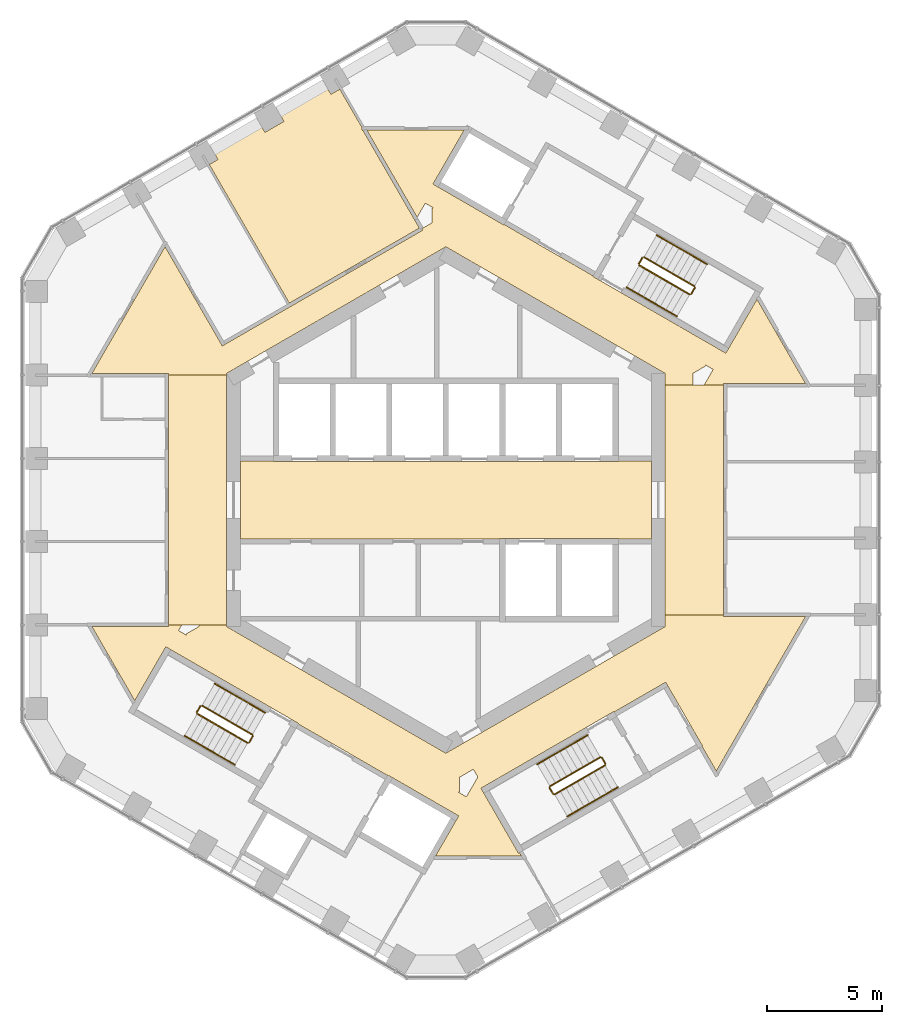
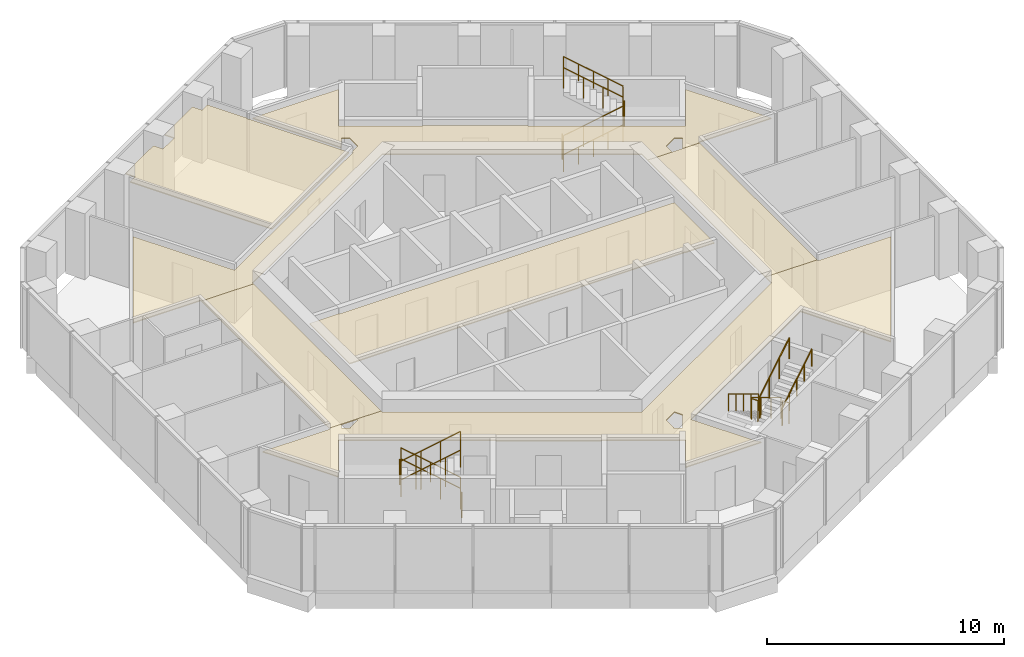
# One storey, part 18 of 18: 24 railings, 6 coverings.
"""IFC4 building model written with IfcOpenShell, lengths in metres."""

from ifc_helpers import new_model, si_unit, direction, frame, origin, origin_2d, place, context, subcontext, project, spatial, polyline, circle, outline, extrude, material, layer, layer_set, type_object, element, save


model = new_model("IFC4")

# Units and contexts
model_context = context("Model", 3, precision=1e-05, world=origin(), true_north=direction((0.0, 1.0)))
body_context = subcontext(model_context, "Body", "Model", "MODEL_VIEW")
ifc_project = project(units=[si_unit("LENGTHUNIT", "METRE"), si_unit("AREAUNIT", "SQUARE_METRE"), si_unit("VOLUMEUNIT", "CUBIC_METRE"), si_unit("PLANEANGLEUNIT", "RADIAN"), si_unit("MASSUNIT", "GRAM", prefix="KILO")], contexts=[model_context])

# Site, building, storey
site_placement = place(None, origin())
site = spatial("IfcSite", under=ifc_project, at=site_placement, CompositionType="ELEMENT")
building_placement = place(site_placement, origin())
building = spatial("IfcBuilding", under=site, at=building_placement, Name="Ayvan Gate Tower", CompositionType="ELEMENT")
storey_placement = place(building_placement, frame((0.0, 0.0, 176.5)))
storey = spatial("IfcBuildingStorey", under=building, at=storey_placement, Name="L47", CompositionType="ELEMENT", Elevation=176.5)

# Coverings
ifc_material_1 = material(Name="Plasterboard suspended ceiling")
ifc_layer = layer(ifc_material_1, 0.050048828125)
ifc_layer_set = layer_set([ifc_layer], Name="Plasterboard suspended ceiling")
covering_type = type_object("IfcCoveringType", Name="CT-SUSP-50", PredefinedType="CEILING", material=ifc_layer_set)
covering_1_placement = place(storey_placement, frame((0.0, 0.0, 2.699951171875)))
element("IfcCovering", 1, at=covering_1_placement, inside=storey, type_object=covering_type, Name="Ceiling Lift Lobby L47", PredefinedType="CEILING", context=body_context, shape_type="SweptSolid", body=[
    extrude(outline(polyline([(7.47509765625, -1.675048828125), (2.324951171875, -1.675048828125), (2.324951171875, -1.699951171875), (-8.89990234375, -1.699951171875), (-8.89990234375, 1.699951171875), (-7.47509765625, 1.699951171875), (-7.47509765625, 1.675048828125), (7.47509765625, 1.675048828125), (7.47509765625, 1.699951171875), (8.89990234375, 1.699951171875), (8.89990234375, -1.699951171875), (7.47509765625, -1.699951171875), (7.47509765625, -1.675048828125)])), origin(), (0.0, 0.0, 1.0), 0.050048828125),
])
covering_2_placement = place(storey_placement, frame((0.0, 0.0, 2.699951171875)))
element("IfcCovering", 2, at=covering_2_placement, inside=storey, type_object=covering_type, Name="Ceiling Gallery L47", PredefinedType="CEILING", context=body_context, shape_type="SweptSolid", body=[
    extrude(outline(polyline([(-11.914794921875, -6.48681640625), (-12.131103515625, -6.36181640625), (-13.47900390625, -8.696044921875), (-15.335693359375, -5.479736328125), (-12.02490234375, -5.479736328125), (-12.02490234375, -5.40478515625), (-11.43408203125, -5.40478515625), (-11.580322265625, -5.65771484375), (-11.2294921875, -5.8603515625), (-11.259765625, -5.80810546875), (-10.699951171875, -5.48486328125), (-10.699951171875, -5.40478515625), (-9.5, -5.40478515625), (-9.5, -5.48486328125), (0.0, -10.9697265625), (8.38720703125, -6.127197265625), (9.5, -5.48486328125), (9.5, -4.972900390625), (12.02490234375, -4.972900390625), (12.02490234375, -5.048095703125), (15.585205078125, -5.048095703125), (11.718017578125, -11.74609375), (11.102294921875, -10.6796875), (11.123779296875, -10.667236328125), (9.623779296875, -8.069091796875), (9.52392578125, -7.89599609375), (7.2939453125, -9.183349609375), (7.281494140625, -9.16162109375), (1.522216796875, -12.48681640625), (1.647216796875, -12.703369140625), (3.147216796875, -15.30126953125), (3.190673828125, -15.2763671875), (3.274169921875, -15.4208984375), (-0.445068359375, -15.4208984375), (0.43115234375, -13.9033203125), (0.55615234375, -13.686767578125), (-2.284423828125, -12.046630859375), (-2.518310546875, -11.91162109375), (-2.53076171875, -11.933349609375), (-6.384521484375, -9.70849609375), (-6.3720703125, -9.686767578125), (-11.91455078125, -6.48681640625), (-11.914794921875, -6.48681640625)]), holes=[polyline([(0.60009765625, -12.6552734375), (0.53955078125, -12.6552734375), (0.890380859375, -12.85791015625), (1.385498046875, -12.0), (1.193115234375, -11.66650390625), (0.60009765625, -12.0087890625), (0.60009765625, -12.6552734375)])]), origin(), (0.0, 0.0, 1.0), 0.050048828125),
])
covering_3_placement = place(storey_placement, frame((0.0, 0.0, 2.699951171875)))
element("IfcCovering", 3, at=covering_3_placement, inside=storey, type_object=covering_type, Name="Ceiling Gallery L47", PredefinedType="CEILING", context=body_context, shape_type="SweptSolid", body=[
    extrude(outline(polyline([(-9.55419921875, 6.75244140625), (-9.55419921875, 6.75244140625), (-1.005615234375, 11.68798828125), (-1.043212890625, 11.7529296875), (-0.60009765625, 12.0087890625), (-0.60009765625, 12.6552734375), (-0.53955078125, 12.6552734375), (-0.890380859375, 12.85791015625), (-1.242431640625, 12.248046875), (-3.4208984375, 16.02099609375), (0.79150390625, 16.02099609375), (-0.55615234375, 13.686767578125), (-0.339599609375, 13.561767578125), (2.518310546875, 11.91162109375), (2.53076171875, 11.933349609375), (6.384521484375, 9.70849609375), (6.3720703125, 9.686767578125), (6.588623046875, 9.561767578125), (12.131103515625, 6.36181640625), (12.24609375, 6.56103515625), (13.47900390625, 8.696044921875), (15.585205078125, 5.048095703125), (12.02490234375, 5.048095703125), (12.02490234375, 4.972900390625), (11.18505859375, 4.972900390625), (11.580322265625, 5.65771484375), (11.2294921875, 5.8603515625), (11.259765625, 5.80810546875), (10.699951171875, 5.48486328125), (10.699951171875, 4.972900390625), (9.5, 4.972900390625), (9.5, 5.48486328125), (0.0, 10.9697265625), (-9.5, 5.48486328125), (-9.5, 5.40478515625), (-12.02490234375, 5.40478515625), (-12.02490234375, 5.479736328125), (-15.335693359375, 5.479736328125), (-12.164306640625, 10.97314453125), (-9.68408203125, 6.677490234375), (-9.55419921875, 6.75244140625)])), origin(), (0.0, 0.0, 1.0), 0.050048828125),
])
covering_4_placement = place(storey_placement, frame((0.0, 0.0, 2.699951171875)))
element("IfcCovering", 4, at=covering_4_placement, inside=storey, type_object=covering_type, Name="Ceiling Lift Lounge Lobby L47", PredefinedType="CEILING", context=body_context, shape_type="SweptSolid", body=[
    extrude(outline(polyline([(12.02490234375, -4.972900390625), (9.5, -4.972900390625), (9.5, 4.972900390625), (12.02490234375, 4.972900390625), (12.02490234375, -4.89794921875), (12.02490234375, -4.89794921875), (12.02490234375, -4.972900390625)])), origin(), (0.0, 0.0, 1.0), 0.050048828125),
])
covering_5_placement = place(storey_placement, frame((0.0, 0.0, 2.699951171875)))
element("IfcCovering", 5, at=covering_5_placement, inside=storey, type_object=covering_type, Name="Ceiling Lift Lounge Lobby L47", PredefinedType="CEILING", context=body_context, shape_type="SweptSolid", body=[
    extrude(outline(polyline([(-12.02490234375, -5.32958984375), (-12.02490234375, 5.40478515625), (-9.5, 5.40478515625), (-9.5, -5.40478515625), (-12.02490234375, -5.40478515625), (-12.02490234375, -5.32958984375)])), origin(), (0.0, 0.0, 1.0), 0.050048828125),
])
covering_6_placement = place(storey_placement, frame((0.0, 0.0, 2.699951171875)))
element("IfcCovering", 6, at=covering_6_placement, inside=storey, type_object=covering_type, Name="Ceiling Social Lounge L47", PredefinedType="CEILING", context=body_context, shape_type="SweptSolid", body=[
    extrude(outline(polyline([(-10.248046875, 14.534912109375), (-9.8740234375, 14.750732421875), (-10.111572265625, 15.162109375), (-8.074951171875, 16.337890625), (-7.83740234375, 15.926513671875), (-7.014892578125, 16.401611328125), (-7.252197265625, 16.81298828125), (-5.2158203125, 17.98876953125), (-4.978271484375, 17.577392578125), (-4.59228515625, 17.800048828125), (-3.625732421875, 16.1259765625), (-3.625732421875, 16.02099609375), (-3.593994140625, 16.02099609375), (-1.3505859375, 12.135498046875), (-1.145751953125, 11.780517578125), (-6.77978515625, 8.527587890625), (-10.248046875, 14.534912109375)])), origin(), (0.0, 0.0, 1.0), 0.050048828125),
])

# Railings
ifc_material_2 = material(Name="Stainless steel balustrade", Category="steel")
railing_type_1 = type_object("IfcRailingType", Name="RL-GUARD-1100", PredefinedType="GUARDRAIL", material=ifc_material_2)
railing_1_placement = place(storey_placement, frame((8.381103515625, 10.16650390625, 0.169921875)))
element("IfcRailing", 7, at=railing_1_placement, inside=storey, type_object=railing_type_1, Name="L47 STS1 stair guard 1", PredefinedType="GUARDRAIL", context=body_context, shape_type="SweptSolid", body=[
    extrude(circle(Radius=0.02392578125, at=origin_2d()), frame((0.0, 0.0, 1.076171875), z_axis=(0.740261155115, -0.427395438142, 0.518986090067), x_axis=(0.500004791531, 0.866022637375, 0.0)), (0.0, 0.0, 1.0), 2.947998046875),
    extrude(circle(Radius=0.02099609375, at=origin_2d()), origin(), (0.0, 0.0, 1.0), 1.052001953125),
    extrude(circle(Radius=0.02099609375, at=origin_2d()), frame((0.7275390625, -0.419921875, 0.510009765625)), (0.0, 0.0, 1.0), 1.052001953125),
    extrude(circle(Radius=0.02099609375, at=origin_2d()), frame((1.454833984375, -0.840087890625, 1.02001953125)), (0.0, 0.0, 1.0), 1.052001953125),
    extrude(circle(Radius=0.02099609375, at=origin_2d()), frame((2.182373046875, -1.260009765625, 1.530029296875)), (0.0, 0.0, 1.0), 1.052001953125),
])
railing_2_placement = place(storey_placement, frame((10.6318359375, 8.9248046875, 1.699951171875)))
element("IfcRailing", 8, at=railing_2_placement, inside=storey, type_object=railing_type_1, Name="L47 STS1 stair guard 2", PredefinedType="GUARDRAIL", context=body_context, shape_type="SweptSolid", body=[
    extrude(circle(Radius=0.02392578125, at=origin_2d()), frame((0.0, 0.0, 1.076171875), z_axis=(0.499949632511, 0.866054481515, 0.0), x_axis=(-0.866054481515, 0.499949632511, 0.0)), (0.0, 0.0, 1.0), 0.31005859375),
    extrude(circle(Radius=0.02099609375, at=origin_2d()), origin(), (0.0, 0.0, 1.0), 1.052001953125),
    extrude(circle(Radius=0.02099609375, at=origin_2d()), frame((0.155029296875, 0.2685546875, 0.0)), (0.0, 0.0, 1.0), 1.052001953125),
])
railing_3_placement = place(storey_placement, frame((10.7685546875, 9.261474609375, 1.8701171875)))
element("IfcRailing", 9, at=railing_3_placement, inside=storey, type_object=railing_type_1, Name="L47 STS1 stair guard 3", PredefinedType="GUARDRAIL", context=body_context, shape_type="SweptSolid", body=[
    extrude(circle(Radius=0.02392578125, at=origin_2d()), frame((0.0, 0.0, 1.076171875), z_axis=(-0.740292969978, 0.427413806696, 0.51892557891), x_axis=(-0.500004791531, -0.866022637375, 0.0)), (0.0, 0.0, 1.0), 2.947998046875),
    extrude(circle(Radius=0.02099609375, at=origin_2d()), origin(), (0.0, 0.0, 1.0), 1.052001953125),
    extrude(circle(Radius=0.02099609375, at=origin_2d()), frame((-0.7275390625, 0.419921875, 0.510009765625)), (0.0, 0.0, 1.0), 1.052001953125),
    extrude(circle(Radius=0.02099609375, at=origin_2d()), frame((-1.454833984375, 0.840087890625, 1.019775390625)), (0.0, 0.0, 1.0), 1.052001953125),
    extrude(circle(Radius=0.02099609375, at=origin_2d()), frame((-2.182373046875, 1.260009765625, 1.52978515625)), (0.0, 0.0, 1.0), 1.052001953125),
])
railing_4_placement = place(storey_placement, frame((8.36279296875, 10.23486328125, 0.0)))
element("IfcRailing", 10, at=railing_4_placement, inside=storey, type_object=railing_type_1, Name="L47 STS1 stair guard 4", PredefinedType="GUARDRAIL", context=body_context, shape_type="SweptSolid", body=[
    extrude(circle(Radius=0.02392578125, at=origin_2d()), frame((0.0, 0.0, 1.076171875), z_axis=(0.500290723946, 0.86585748916, 0.0), x_axis=(-0.86585748916, 0.500290723946, 0.0)), (0.0, 0.0, 1.0), 0.309814453125),
    extrude(circle(Radius=0.02099609375, at=origin_2d()), origin(), (0.0, 0.0, 1.0), 1.052001953125),
    extrude(circle(Radius=0.02099609375, at=origin_2d()), frame((0.155029296875, 0.268310546875, 0.0)), (0.0, 0.0, 1.0), 1.052001953125),
])
railing_5_placement = place(storey_placement, frame((-8.381103515625, -10.16650390625, 0.169921875)))
element("IfcRailing", 11, at=railing_5_placement, inside=storey, type_object=railing_type_1, Name="L47 STS2 stair guard 1", PredefinedType="GUARDRAIL", context=body_context, shape_type="SweptSolid", body=[
    extrude(circle(Radius=0.02392578125, at=origin_2d()), frame((0.0, 0.0, 1.076171875), z_axis=(-0.740261155115, 0.427395438142, 0.518986090067), x_axis=(-0.500004791531, -0.866022637375, 0.0)), (0.0, 0.0, 1.0), 2.947998046875),
    extrude(circle(Radius=0.02099609375, at=origin_2d()), origin(), (0.0, 0.0, 1.0), 1.052001953125),
    extrude(circle(Radius=0.02099609375, at=origin_2d()), frame((-0.7275390625, 0.419921875, 0.510009765625)), (0.0, 0.0, 1.0), 1.052001953125),
    extrude(circle(Radius=0.02099609375, at=origin_2d()), frame((-1.454833984375, 0.840087890625, 1.02001953125)), (0.0, 0.0, 1.0), 1.052001953125),
    extrude(circle(Radius=0.02099609375, at=origin_2d()), frame((-2.182373046875, 1.260009765625, 1.530029296875)), (0.0, 0.0, 1.0), 1.052001953125),
])
railing_6_placement = place(storey_placement, frame((-10.6318359375, -8.9248046875, 1.699951171875)))
element("IfcRailing", 12, at=railing_6_placement, inside=storey, type_object=railing_type_1, Name="L47 STS2 stair guard 2", PredefinedType="GUARDRAIL", context=body_context, shape_type="SweptSolid", body=[
    extrude(circle(Radius=0.02392578125, at=origin_2d()), frame((0.0, 0.0, 1.076171875), z_axis=(-0.499949632511, -0.866054481515, 0.0), x_axis=(0.866054481515, -0.499949632511, 0.0)), (0.0, 0.0, 1.0), 0.31005859375),
    extrude(circle(Radius=0.02099609375, at=origin_2d()), origin(), (0.0, 0.0, 1.0), 1.052001953125),
    extrude(circle(Radius=0.02099609375, at=origin_2d()), frame((-0.155029296875, -0.2685546875, 0.0)), (0.0, 0.0, 1.0), 1.052001953125),
])
railing_7_placement = place(storey_placement, frame((-10.7685546875, -9.261474609375, 1.8701171875)))
element("IfcRailing", 13, at=railing_7_placement, inside=storey, type_object=railing_type_1, Name="L47 STS2 stair guard 3", PredefinedType="GUARDRAIL", context=body_context, shape_type="SweptSolid", body=[
    extrude(circle(Radius=0.02392578125, at=origin_2d()), frame((0.0, 0.0, 1.076171875), z_axis=(0.740292969978, -0.427413806696, 0.51892557891), x_axis=(0.500004791531, 0.866022637375, 0.0)), (0.0, 0.0, 1.0), 2.947998046875),
    extrude(circle(Radius=0.02099609375, at=origin_2d()), origin(), (0.0, 0.0, 1.0), 1.052001953125),
    extrude(circle(Radius=0.02099609375, at=origin_2d()), frame((0.7275390625, -0.419921875, 0.510009765625)), (0.0, 0.0, 1.0), 1.052001953125),
    extrude(circle(Radius=0.02099609375, at=origin_2d()), frame((1.454833984375, -0.840087890625, 1.019775390625)), (0.0, 0.0, 1.0), 1.052001953125),
    extrude(circle(Radius=0.02099609375, at=origin_2d()), frame((2.182373046875, -1.260009765625, 1.52978515625)), (0.0, 0.0, 1.0), 1.052001953125),
])
railing_8_placement = place(storey_placement, frame((-8.36279296875, -10.23486328125, 0.0)))
element("IfcRailing", 14, at=railing_8_placement, inside=storey, type_object=railing_type_1, Name="L47 STS2 stair guard 4", PredefinedType="GUARDRAIL", context=body_context, shape_type="SweptSolid", body=[
    extrude(circle(Radius=0.02392578125, at=origin_2d()), frame((0.0, 0.0, 1.076171875), z_axis=(-0.500290723946, -0.86585748916, 0.0), x_axis=(0.86585748916, -0.500290723946, 0.0)), (0.0, 0.0, 1.0), 0.309814453125),
    extrude(circle(Radius=0.02099609375, at=origin_2d()), origin(), (0.0, 0.0, 1.0), 1.052001953125),
    extrude(circle(Radius=0.02099609375, at=origin_2d()), frame((-0.155029296875, -0.268310546875, 0.0)), (0.0, 0.0, 1.0), 1.052001953125),
])
railing_9_placement = place(storey_placement, frame((6.6923828125, -11.1416015625, 0.169921875)))
element("IfcRailing", 15, at=railing_9_placement, inside=storey, type_object=railing_type_1, Name="L47 STS3 stair guard 1", PredefinedType="GUARDRAIL", context=body_context, shape_type="SweptSolid", body=[
    extrude(circle(Radius=0.02392578125, at=origin_2d()), frame((0.0, 0.0, 1.076171875), z_axis=(-0.740261155115, -0.427395438142, 0.518986090067), x_axis=(0.500004791531, -0.866022637375, 0.0)), (0.0, 0.0, 1.0), 2.947998046875),
    extrude(circle(Radius=0.02099609375, at=origin_2d()), origin(), (0.0, 0.0, 1.0), 1.052001953125),
    extrude(circle(Radius=0.02099609375, at=origin_2d()), frame((-0.7275390625, -0.419921875, 0.510009765625)), (0.0, 0.0, 1.0), 1.052001953125),
    extrude(circle(Radius=0.02099609375, at=origin_2d()), frame((-1.454833984375, -0.840087890625, 1.02001953125)), (0.0, 0.0, 1.0), 1.052001953125),
    extrude(circle(Radius=0.02099609375, at=origin_2d()), frame((-2.182373046875, -1.260009765625, 1.530029296875)), (0.0, 0.0, 1.0), 1.052001953125),
])
railing_10_placement = place(storey_placement, frame((4.49169921875, -12.4697265625, 1.699951171875)))
element("IfcRailing", 16, at=railing_10_placement, inside=storey, type_object=railing_type_1, Name="L47 STS3 stair guard 2", PredefinedType="GUARDRAIL", context=body_context, shape_type="SweptSolid", body=[
    extrude(circle(Radius=0.02392578125, at=origin_2d()), frame((0.0, 0.0, 1.076171875), z_axis=(0.499949632511, -0.866054481515, 0.0), x_axis=(0.866054481515, 0.499949632511, 0.0)), (0.0, 0.0, 1.0), 0.31005859375),
    extrude(circle(Radius=0.02099609375, at=origin_2d()), origin(), (0.0, 0.0, 1.0), 1.052001953125),
    extrude(circle(Radius=0.02099609375, at=origin_2d()), frame((0.155029296875, -0.2685546875, 0.0)), (0.0, 0.0, 1.0), 1.052001953125),
])
railing_11_placement = place(storey_placement, frame((4.715087890625, -12.756591796875, 1.8701171875)))
element("IfcRailing", 17, at=railing_11_placement, inside=storey, type_object=railing_type_1, Name="L47 STS3 stair guard 3", PredefinedType="GUARDRAIL", context=body_context, shape_type="SweptSolid", body=[
    extrude(circle(Radius=0.02392578125, at=origin_2d()), frame((0.0, 0.0, 1.076171875), z_axis=(0.740292969978, 0.427413806696, 0.51892557891), x_axis=(-0.500004791531, 0.866022637375, 0.0)), (0.0, 0.0, 1.0), 2.947998046875),
    extrude(circle(Radius=0.02099609375, at=origin_2d()), origin(), (0.0, 0.0, 1.0), 1.052001953125),
    extrude(circle(Radius=0.02099609375, at=origin_2d()), frame((0.7275390625, 0.419921875, 0.510009765625)), (0.0, 0.0, 1.0), 1.052001953125),
    extrude(circle(Radius=0.02099609375, at=origin_2d()), frame((1.454833984375, 0.840087890625, 1.019775390625)), (0.0, 0.0, 1.0), 1.052001953125),
    extrude(circle(Radius=0.02099609375, at=origin_2d()), frame((2.182373046875, 1.260009765625, 1.52978515625)), (0.0, 0.0, 1.0), 1.052001953125),
])
railing_12_placement = place(storey_placement, frame((6.7607421875, -11.159912109375, 0.0)))
element("IfcRailing", 18, at=railing_12_placement, inside=storey, type_object=railing_type_1, Name="L47 STS3 stair guard 4", PredefinedType="GUARDRAIL", context=body_context, shape_type="SweptSolid", body=[
    extrude(circle(Radius=0.02392578125, at=origin_2d()), frame((0.0, 0.0, 1.076171875), z_axis=(0.500290723946, -0.86585748916, 0.0), x_axis=(0.86585748916, 0.500290723946, 0.0)), (0.0, 0.0, 1.0), 0.309814453125),
    extrude(circle(Radius=0.02099609375, at=origin_2d()), origin(), (0.0, 0.0, 1.0), 1.052001953125),
    extrude(circle(Radius=0.02099609375, at=origin_2d()), frame((0.155029296875, -0.268310546875, 0.0)), (0.0, 0.0, 1.0), 1.052001953125),
])
railing_type_2 = type_object("IfcRailingType", Name="RL-HANDRAIL-900", PredefinedType="HANDRAIL", material=ifc_material_2)
railing_13_placement = place(storey_placement, frame((7.8310546875, 9.2138671875, 0.169921875)))
element("IfcRailing", 19, at=railing_13_placement, inside=storey, type_object=railing_type_2, Name="L47 STS1 stair handrail 1", PredefinedType="HANDRAIL", context=body_context, shape_type="SweptSolid", body=[
    extrude(circle(Radius=0.02392578125, at=origin_2d()), frame((0.0, 0.0, 0.8759765625), z_axis=(0.740292964666, -0.42728318766, 0.519033143459), x_axis=(0.499890179513, 0.866088799389, 0.0)), (0.0, 0.0, 1.0), 1.47412109375),
    extrude(circle(Radius=0.02099609375, at=origin_2d()), origin(), (0.0, 0.0, 1.0), 0.851806640625),
    extrude(circle(Radius=0.02099609375, at=origin_2d()), frame((0.545654296875, -0.31494140625, 0.382568359375)), (0.0, 0.0, 1.0), 0.851806640625),
    extrude(circle(Radius=0.02099609375, at=origin_2d()), frame((1.09130859375, -0.6298828125, 0.76513671875)), (0.0, 0.0, 1.0), 0.851806640625),
])
railing_14_placement = place(storey_placement, frame((8.92236328125, 8.583984375, 0.93505859375)))
element("IfcRailing", 20, at=railing_14_placement, inside=storey, type_object=railing_type_2, Name="L47 STS1 stair handrail 2", PredefinedType="HANDRAIL", context=body_context, shape_type="SweptSolid", body=[
    extrude(circle(Radius=0.02392578125, at=origin_2d()), frame((0.0, 0.0, 0.8759765625), z_axis=(0.740229329464, -0.427507697325, 0.518939021976), x_axis=(0.50011940292, 0.865956455501, 0.0)), (0.0, 0.0, 1.0), 1.473876953125),
    extrude(circle(Radius=0.02099609375, at=origin_2d()), origin(), (0.0, 0.0, 1.0), 0.851806640625),
    extrude(circle(Radius=0.02099609375, at=origin_2d()), frame((0.54541015625, -0.31494140625, 0.38232421875)), (0.0, 0.0, 1.0), 0.851806640625),
    extrude(circle(Radius=0.02099609375, at=origin_2d()), frame((1.091064453125, -0.630126953125, 0.764892578125)), (0.0, 0.0, 1.0), 0.851806640625),
])
railing_15_placement = place(storey_placement, frame((11.318603515625, 10.214111328125, 1.8701171875)))
element("IfcRailing", 21, at=railing_15_placement, inside=storey, type_object=railing_type_2, Name="L47 STS1 stair handrail 3", PredefinedType="HANDRAIL", context=body_context, shape_type="SweptSolid", body=[
    extrude(circle(Radius=0.02392578125, at=origin_2d()), frame((0.0, 0.0, 0.8759765625), z_axis=(-0.740304193401, 0.427455284825, 0.518875399983), x_axis=(-0.500035496587, -0.86600490885, 0.0)), (0.0, 0.0, 1.0), 1.47412109375),
    extrude(circle(Radius=0.02099609375, at=origin_2d()), origin(), (0.0, 0.0, 1.0), 0.851806640625),
    extrude(circle(Radius=0.02099609375, at=origin_2d()), frame((-0.545654296875, 0.31494140625, 0.38232421875)), (0.0, 0.0, 1.0), 0.851806640625),
    extrude(circle(Radius=0.02099609375, at=origin_2d()), frame((-1.09130859375, 0.630126953125, 0.764892578125)), (0.0, 0.0, 1.0), 0.851806640625),
])
railing_16_placement = place(storey_placement, frame((10.227294921875, 10.84423828125, 2.635009765625)))
element("IfcRailing", 22, at=railing_16_placement, inside=storey, type_object=railing_type_2, Name="L47 STS1 stair handrail 4", PredefinedType="HANDRAIL", context=body_context, shape_type="SweptSolid", body=[
    extrude(circle(Radius=0.02392578125, at=origin_2d()), frame((0.0, 0.0, 0.8759765625), z_axis=(-0.740356597536, 0.427319915356, 0.518912129772), x_axis=(-0.499890179513, -0.866088799389, 0.0)), (0.0, 0.0, 1.0), 1.47412109375),
    extrude(circle(Radius=0.02099609375, at=origin_2d()), origin(), (0.0, 0.0, 1.0), 0.851806640625),
    extrude(circle(Radius=0.02099609375, at=origin_2d()), frame((-0.545654296875, 0.31494140625, 0.38232421875)), (0.0, 0.0, 1.0), 0.851806640625),
    extrude(circle(Radius=0.02099609375, at=origin_2d()), frame((-1.09130859375, 0.6298828125, 0.764892578125)), (0.0, 0.0, 1.0), 0.851806640625),
])
railing_17_placement = place(storey_placement, frame((-7.8310546875, -9.2138671875, 0.169921875)))
element("IfcRailing", 23, at=railing_17_placement, inside=storey, type_object=railing_type_2, Name="L47 STS2 stair handrail 1", PredefinedType="HANDRAIL", context=body_context, shape_type="SweptSolid", body=[
    extrude(circle(Radius=0.02392578125, at=origin_2d()), frame((0.0, 0.0, 0.8759765625), z_axis=(-0.740292964666, 0.42728318766, 0.519033143459), x_axis=(-0.499890179513, -0.866088799389, 0.0)), (0.0, 0.0, 1.0), 1.47412109375),
    extrude(circle(Radius=0.02099609375, at=origin_2d()), origin(), (0.0, 0.0, 1.0), 0.851806640625),
    extrude(circle(Radius=0.02099609375, at=origin_2d()), frame((-0.545654296875, 0.31494140625, 0.382568359375)), (0.0, 0.0, 1.0), 0.851806640625),
    extrude(circle(Radius=0.02099609375, at=origin_2d()), frame((-1.09130859375, 0.6298828125, 0.76513671875)), (0.0, 0.0, 1.0), 0.851806640625),
])
railing_18_placement = place(storey_placement, frame((-8.92236328125, -8.583984375, 0.93505859375)))
element("IfcRailing", 24, at=railing_18_placement, inside=storey, type_object=railing_type_2, Name="L47 STS2 stair handrail 2", PredefinedType="HANDRAIL", context=body_context, shape_type="SweptSolid", body=[
    extrude(circle(Radius=0.02392578125, at=origin_2d()), frame((0.0, 0.0, 0.8759765625), z_axis=(-0.740229329464, 0.427507697325, 0.518939021976), x_axis=(-0.50011940292, -0.865956455501, 0.0)), (0.0, 0.0, 1.0), 1.473876953125),
    extrude(circle(Radius=0.02099609375, at=origin_2d()), origin(), (0.0, 0.0, 1.0), 0.851806640625),
    extrude(circle(Radius=0.02099609375, at=origin_2d()), frame((-0.54541015625, 0.31494140625, 0.38232421875)), (0.0, 0.0, 1.0), 0.851806640625),
    extrude(circle(Radius=0.02099609375, at=origin_2d()), frame((-1.091064453125, 0.630126953125, 0.764892578125)), (0.0, 0.0, 1.0), 0.851806640625),
])
railing_19_placement = place(storey_placement, frame((-11.318603515625, -10.214111328125, 1.8701171875)))
element("IfcRailing", 25, at=railing_19_placement, inside=storey, type_object=railing_type_2, Name="L47 STS2 stair handrail 3", PredefinedType="HANDRAIL", context=body_context, shape_type="SweptSolid", body=[
    extrude(circle(Radius=0.02392578125, at=origin_2d()), frame((0.0, 0.0, 0.8759765625), z_axis=(0.740304193401, -0.427455284825, 0.518875399983), x_axis=(0.500035496587, 0.86600490885, 0.0)), (0.0, 0.0, 1.0), 1.47412109375),
    extrude(circle(Radius=0.02099609375, at=origin_2d()), origin(), (0.0, 0.0, 1.0), 0.851806640625),
    extrude(circle(Radius=0.02099609375, at=origin_2d()), frame((0.545654296875, -0.31494140625, 0.38232421875)), (0.0, 0.0, 1.0), 0.851806640625),
    extrude(circle(Radius=0.02099609375, at=origin_2d()), frame((1.09130859375, -0.630126953125, 0.764892578125)), (0.0, 0.0, 1.0), 0.851806640625),
])
railing_20_placement = place(storey_placement, frame((-10.227294921875, -10.84423828125, 2.635009765625)))
element("IfcRailing", 26, at=railing_20_placement, inside=storey, type_object=railing_type_2, Name="L47 STS2 stair handrail 4", PredefinedType="HANDRAIL", context=body_context, shape_type="SweptSolid", body=[
    extrude(circle(Radius=0.02392578125, at=origin_2d()), frame((0.0, 0.0, 0.8759765625), z_axis=(0.740356597536, -0.427319915356, 0.518912129772), x_axis=(0.499890179513, 0.866088799389, 0.0)), (0.0, 0.0, 1.0), 1.47412109375),
    extrude(circle(Radius=0.02099609375, at=origin_2d()), origin(), (0.0, 0.0, 1.0), 0.851806640625),
    extrude(circle(Radius=0.02099609375, at=origin_2d()), frame((0.545654296875, -0.31494140625, 0.38232421875)), (0.0, 0.0, 1.0), 0.851806640625),
    extrude(circle(Radius=0.02099609375, at=origin_2d()), frame((1.09130859375, -0.6298828125, 0.764892578125)), (0.0, 0.0, 1.0), 0.851806640625),
])
railing_21_placement = place(storey_placement, frame((6.142333984375, -10.18896484375, 0.169921875)))
element("IfcRailing", 27, at=railing_21_placement, inside=storey, type_object=railing_type_2, Name="L47 STS3 stair handrail 1", PredefinedType="HANDRAIL", context=body_context, shape_type="SweptSolid", body=[
    extrude(circle(Radius=0.02392578125, at=origin_2d()), frame((0.0, 0.0, 0.8759765625), z_axis=(-0.740218099111, -0.427335577468, 0.519096782863), x_axis=(0.499974077718, -0.866040369504, 0.0)), (0.0, 0.0, 1.0), 1.473876953125),
    extrude(circle(Radius=0.02099609375, at=origin_2d()), origin(), (0.0, 0.0, 1.0), 0.851806640625),
    extrude(circle(Radius=0.02099609375, at=origin_2d()), frame((-0.54541015625, -0.31494140625, 0.382568359375)), (0.0, 0.0, 1.0), 0.851806640625),
    extrude(circle(Radius=0.02099609375, at=origin_2d()), frame((-1.091064453125, -0.6298828125, 0.76513671875)), (0.0, 0.0, 1.0), 0.851806640625),
])
railing_22_placement = place(storey_placement, frame((5.05126953125, -10.81884765625, 0.93505859375)))
element("IfcRailing", 28, at=railing_22_placement, inside=storey, type_object=railing_type_2, Name="L47 STS3 stair handrail 2", PredefinedType="HANDRAIL", context=body_context, shape_type="SweptSolid", body=[
    extrude(circle(Radius=0.02392578125, at=origin_2d()), frame((0.0, 0.0, 0.8759765625), z_axis=(-0.740304193401, -0.427455284825, 0.518875399983), x_axis=(0.500035496587, -0.86600490885, 0.0)), (0.0, 0.0, 1.0), 1.47412109375),
    extrude(circle(Radius=0.02099609375, at=origin_2d()), origin(), (0.0, 0.0, 1.0), 0.851806640625),
    extrude(circle(Radius=0.02099609375, at=origin_2d()), frame((-0.545654296875, -0.31494140625, 0.38232421875)), (0.0, 0.0, 1.0), 0.851806640625),
    extrude(circle(Radius=0.02099609375, at=origin_2d()), frame((-1.09130859375, -0.630126953125, 0.764892578125)), (0.0, 0.0, 1.0), 0.851806640625),
])
railing_23_placement = place(storey_placement, frame((5.264892578125, -13.709228515625, 1.8701171875)))
element("IfcRailing", 29, at=railing_23_placement, inside=storey, type_object=railing_type_2, Name="L47 STS3 stair handrail 3", PredefinedType="HANDRAIL", context=body_context, shape_type="SweptSolid", body=[
    extrude(circle(Radius=0.02392578125, at=origin_2d()), frame((0.0, 0.0, 0.8759765625), z_axis=(0.740304193401, 0.427455284825, 0.518875399983), x_axis=(-0.500035496587, 0.86600490885, 0.0)), (0.0, 0.0, 1.0), 1.47412109375),
    extrude(circle(Radius=0.02099609375, at=origin_2d()), origin(), (0.0, 0.0, 1.0), 0.851806640625),
    extrude(circle(Radius=0.02099609375, at=origin_2d()), frame((0.545654296875, 0.31494140625, 0.38232421875)), (0.0, 0.0, 1.0), 0.851806640625),
    extrude(circle(Radius=0.02099609375, at=origin_2d()), frame((1.09130859375, 0.630126953125, 0.764892578125)), (0.0, 0.0, 1.0), 0.851806640625),
])
railing_24_placement = place(storey_placement, frame((6.356201171875, -13.0791015625, 2.635009765625)))
element("IfcRailing", 30, at=railing_24_placement, inside=storey, type_object=railing_type_2, Name="L47 STS3 stair handrail 4", PredefinedType="HANDRAIL", context=body_context, shape_type="SweptSolid", body=[
    extrude(circle(Radius=0.02392578125, at=origin_2d()), frame((0.0, 0.0, 0.8759765625), z_axis=(0.740281741151, 0.427372318678, 0.518975765278), x_axis=(-0.499974077718, 0.866040369504, 0.0)), (0.0, 0.0, 1.0), 1.473876953125),
    extrude(circle(Radius=0.02099609375, at=origin_2d()), origin(), (0.0, 0.0, 1.0), 0.851806640625),
    extrude(circle(Radius=0.02099609375, at=origin_2d()), frame((0.54541015625, 0.31494140625, 0.38232421875)), (0.0, 0.0, 1.0), 0.851806640625),
    extrude(circle(Radius=0.02099609375, at=origin_2d()), frame((1.091064453125, 0.6298828125, 0.764892578125)), (0.0, 0.0, 1.0), 0.851806640625),
])

save(model, "model.ifc")
